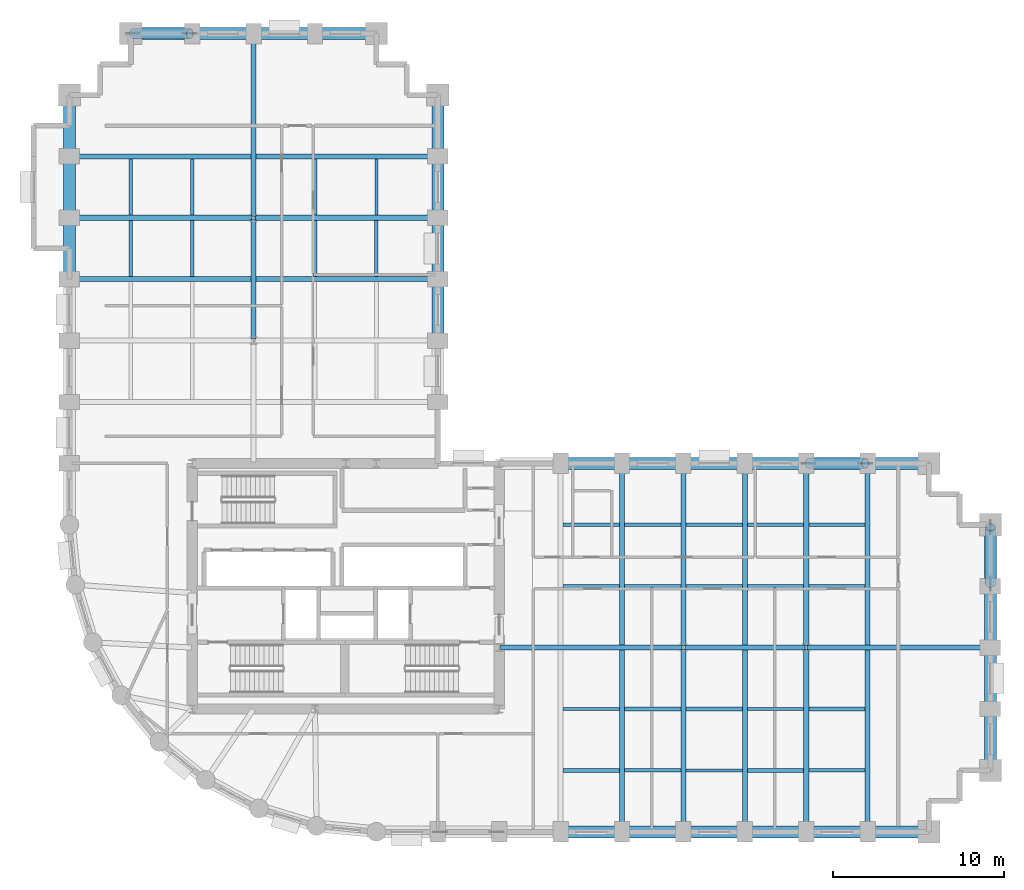
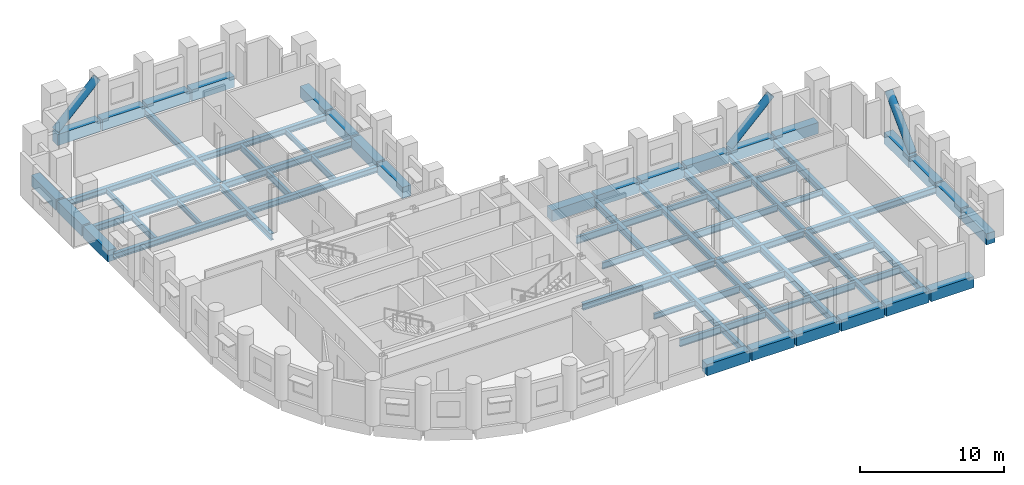
# One storey, part 2 of 11: 71 beams, 3 members.
"""IFC4 building model written with IfcOpenShell, lengths in metres."""

from ifc_helpers import new_model, si_unit, direction, frame, origin, origin_2d, place, context, subcontext, project, spatial, rectangle, hollow_circle, i_section, extrude, material, material_profile, profile_set, type_object, element, save


model = new_model("IFC4")

# Units and contexts
model_context = context("Model", 3, precision=1e-05, world=origin(), true_north=direction((0.0, 1.0)))
body_context = subcontext(model_context, "Body", "Model", "MODEL_VIEW")
ifc_project = project(units=[si_unit("LENGTHUNIT", "METRE"), si_unit("AREAUNIT", "SQUARE_METRE"), si_unit("VOLUMEUNIT", "CUBIC_METRE"), si_unit("PLANEANGLEUNIT", "RADIAN"), si_unit("MASSUNIT", "GRAM", prefix="KILO")], contexts=[model_context])

# Site, building, storey
site_placement = place(None, origin())
site = spatial("IfcSite", under=ifc_project, at=site_placement, CompositionType="ELEMENT")
building_placement = place(site_placement, origin())
building = spatial("IfcBuilding", under=site, at=building_placement, Name="Solnavia Interchange Tower", CompositionType="ELEMENT")
storey_placement = place(building_placement, frame((0.0, 0.0, 55.199951171875)))
storey = spatial("IfcBuildingStorey", under=building, at=storey_placement, Name="L13", CompositionType="ELEMENT", Elevation=55.199951171875)

# Beams
ifc_material_1 = material(Name="Steel S460", Category="steel")
ifc_material_profile_1 = material_profile(ifc_material_1, i_section(OverallWidth=0.300048828125, OverallDepth=0.550048828125, WebThickness=0.014892578125, FlangeThickness=0.029052734375, FilletRadius=0.027099609375, at=origin_2d()), Name="HEB 550")
ifc_profile_set_1 = profile_set([ifc_material_profile_1], Name="Steel S460")
beam_type_1 = type_object("IfcBeamType", Name="Beam-Girder-HEB550", PredefinedType="BEAM", material=ifc_profile_set_1)
beam_1_placement = place(storey_placement, frame((32.47998046875, 14.39990234375, -0.52490234375), z_axis=(1.0, 0.0, 0.0), x_axis=(0.0, 1.0, 0.0)))
element("IfcBeam", 1, at=beam_1_placement, inside=storey, type_object=beam_type_1, Name="GRD-L13-ES01 East wing spine girder", PredefinedType="BEAM", context=body_context, shape_type="SweptSolid", body=[
    extrude(i_section(OverallWidth=0.300048828125, OverallDepth=0.550048828125, WebThickness=0.014892578125, FlangeThickness=0.029052734375, FilletRadius=0.027099609375, at=origin_2d()), origin(), (0.0, 0.0, 1.0), 10.64013671875),
])
beam_2_placement = place(storey_placement, frame((43.280029296875, 14.39990234375, -0.52490234375), z_axis=(1.0, 0.0, 0.0), x_axis=(0.0, 1.0, 0.0)))
element("IfcBeam", 2, at=beam_2_placement, inside=storey, type_object=beam_type_1, Name="GRD-L13-ES02 East wing spine girder", PredefinedType="BEAM", context=body_context, shape_type="SweptSolid", body=[
    extrude(i_section(OverallWidth=0.300048828125, OverallDepth=0.550048828125, WebThickness=0.014892578125, FlangeThickness=0.029052734375, FilletRadius=0.027099609375, at=origin_2d()), origin(), (0.0, 0.0, 1.0), 7.0400390625),
])
beam_3_placement = place(storey_placement, frame((50.47998046875, 14.39990234375, -0.52490234375), z_axis=(1.0, 0.0, 0.0), x_axis=(0.0, 1.0, 0.0)))
element("IfcBeam", 3, at=beam_3_placement, inside=storey, type_object=beam_type_1, Name="GRD-L13-ES03 East wing spine girder", PredefinedType="BEAM", context=body_context, shape_type="SweptSolid", body=[
    extrude(i_section(OverallWidth=0.300048828125, OverallDepth=0.550048828125, WebThickness=0.014892578125, FlangeThickness=0.029052734375, FilletRadius=0.027099609375, at=origin_2d()), origin(), (0.0, 0.0, 1.0), 10.64013671875),
])
beam_4_placement = place(storey_placement, frame((18.0, 32.47998046875, -0.52490234375), z_axis=(0.0, 1.0, 0.0), x_axis=(-1.0, 0.0, 0.0)))
element("IfcBeam", 4, at=beam_4_placement, inside=storey, type_object=beam_type_1, Name="GRD-L13-NS13 North wing spine girder", PredefinedType="BEAM", context=body_context, shape_type="SweptSolid", body=[
    extrude(i_section(OverallWidth=0.300048828125, OverallDepth=0.550048828125, WebThickness=0.014892578125, FlangeThickness=0.029052734375, FilletRadius=0.027099609375, at=origin_2d()), origin(), (0.0, 0.0, 1.0), 7.0400390625),
])
beam_5_placement = place(storey_placement, frame((18.0, 39.679931640625, -0.52490234375), z_axis=(0.0, 1.0, 0.0), x_axis=(-1.0, 0.0, 0.0)))
element("IfcBeam", 5, at=beam_5_placement, inside=storey, type_object=beam_type_1, Name="GRD-L13-NS14 North wing spine girder", PredefinedType="BEAM", context=body_context, shape_type="SweptSolid", body=[
    extrude(i_section(OverallWidth=0.300048828125, OverallDepth=0.550048828125, WebThickness=0.014892578125, FlangeThickness=0.029052734375, FilletRadius=0.027099609375, at=origin_2d()), origin(), (0.0, 0.0, 1.0), 10.64013671875),
])
for number, where, z_axis, x_axis, name in (
    (6, (7.280029296875, 39.60009765625, -0.52490234375), (1.0, 0.0, 0.0), (0.0, 1.0, 0.0), "GRD-L13-NW19 North wing primary floor girder"),
    (7, (18.080078125, 39.60009765625, -0.52490234375), (1.0, 0.0, 0.0), (0.0, 1.0, 0.0), "GRD-L13-NW20 North wing primary floor girder"),
):
    element("IfcBeam", number, at=place(storey_placement, frame(where, z_axis=z_axis, x_axis=x_axis)), inside=storey, type_object=beam_type_1, Name=name, PredefinedType="BEAM", context=body_context, shape_type="SweptSolid", body=[
        extrude(i_section(OverallWidth=0.300048828125, OverallDepth=0.550048828125, WebThickness=0.014892578125, FlangeThickness=0.029052734375, FilletRadius=0.027099609375, at=origin_2d()), origin(), (0.0, 0.0, 1.0), 10.639892578125),
    ])
ifc_material_2 = material(Name="Steel S355", Category="steel")
ifc_material_profile_2 = material_profile(ifc_material_2, i_section(OverallWidth=0.18994140625, OverallDepth=0.449951171875, WebThickness=0.009521484375, FlangeThickness=0.0146484375, FilletRadius=0.02099609375, at=origin_2d()), Name="IPE 450")
ifc_profile_set_2 = profile_set([ifc_material_profile_2], Name="Steel S355")
beam_type_2 = type_object("IfcBeamType", Name="Beam-Joist-IPE450", PredefinedType="JOIST", material=ifc_profile_set_2)
beam_6_placement = place(storey_placement, frame((43.35009765625, 7.199951171875, -0.474853515625), z_axis=(1.0, 0.0, 0.0), x_axis=(0.0, 1.0, 0.0)))
element("IfcBeam", 8, at=beam_6_placement, inside=storey, type_object=beam_type_2, Name="JST-L13-E03 East wing secondary joist", PredefinedType="JOIST", context=body_context, shape_type="SweptSolid", body=[
    extrude(i_section(OverallWidth=0.18994140625, OverallDepth=0.449951171875, WebThickness=0.009521484375, FlangeThickness=0.0146484375, FilletRadius=0.02099609375, at=origin_2d()), origin(), (0.0, 0.0, 1.0), 3.2998046875),
])
for number, where, z_axis, x_axis, name in (
    (9, (36.14990234375, 10.800048828125, -0.474853515625), (1.0, 0.0, 0.0), (0.0, 1.0, 0.0), "JST-L13-E06 East wing secondary joist"),
    (10, (46.949951171875, 10.800048828125, -0.474853515625), (1.0, 0.0, 0.0), (0.0, 1.0, 0.0), "JST-L13-E09 East wing secondary joist"),
    (11, (39.75, 18.0, -0.474853515625), (1.0, 0.0, 0.0), (0.0, 1.0, 0.0), "JST-L13-E12 East wing secondary joist"),
    (12, (50.550048828125, 18.0, -0.474853515625), (1.0, 0.0, 0.0), (0.0, 1.0, 0.0), "JST-L13-E15 East wing secondary joist"),
):
    element("IfcBeam", number, at=place(storey_placement, frame(where, z_axis=z_axis, x_axis=x_axis)), inside=storey, type_object=beam_type_2, Name=name, PredefinedType="JOIST", context=body_context, shape_type="SweptSolid", body=[
        extrude(i_section(OverallWidth=0.18994140625, OverallDepth=0.449951171875, WebThickness=0.009521484375, FlangeThickness=0.0146484375, FilletRadius=0.02099609375, at=origin_2d()), origin(), (0.0, 0.0, 1.0), 3.300048828125),
    ])
beam_7_placement = place(storey_placement, frame((43.35009765625, 21.60009765625, -0.474853515625), z_axis=(1.0, 0.0, 0.0), x_axis=(0.0, 1.0, 0.0)))
element("IfcBeam", 13, at=beam_7_placement, inside=storey, type_object=beam_type_2, Name="JST-L13-E18 East wing secondary joist", PredefinedType="JOIST", context=body_context, shape_type="SweptSolid", body=[
    extrude(i_section(OverallWidth=0.18994140625, OverallDepth=0.449951171875, WebThickness=0.009521484375, FlangeThickness=0.0146484375, FilletRadius=0.02099609375, at=origin_2d()), origin(), (0.0, 0.0, 1.0), 3.2998046875),
])
for number, where, z_axis, x_axis, name in (
    (14, (10.800048828125, 39.75, -0.474853515625), (0.0, 1.0, 0.0), (-1.0, 0.0, 0.0), "JST-L13-N24 North wing secondary joist"),
    (15, (14.39990234375, 36.14990234375, -0.474853515625), (0.0, 1.0, 0.0), (-1.0, 0.0, 0.0), "JST-L13-N27 North wing secondary joist"),
    (16, (25.199951171875, 39.75, -0.474853515625), (0.0, 1.0, 0.0), (-1.0, 0.0, 0.0), "JST-L13-N36 North wing secondary joist"),
):
    element("IfcBeam", number, at=place(storey_placement, frame(where, z_axis=z_axis, x_axis=x_axis)), inside=storey, type_object=beam_type_2, Name=name, PredefinedType="JOIST", context=body_context, shape_type="SweptSolid", body=[
        extrude(i_section(OverallWidth=0.18994140625, OverallDepth=0.449951171875, WebThickness=0.009521484375, FlangeThickness=0.0146484375, FilletRadius=0.02099609375, at=origin_2d()), origin(), (0.0, 0.0, 1.0), 3.300048828125),
    ])
ifc_material_profile_3 = material_profile(ifc_material_2, i_section(OverallWidth=0.2099609375, OverallDepth=0.550048828125, WebThickness=0.010986328125, FlangeThickness=0.01708984375, FilletRadius=0.02392578125, at=origin_2d()), Name="IPE 550")
ifc_profile_set_3 = profile_set([ifc_material_profile_3], Name="Steel S355")
beam_type_3 = type_object("IfcBeamType", Name="Beam-Joist-IPE550", PredefinedType="JOIST", material=ifc_profile_set_3)
for number, where, z_axis, x_axis, name in (
    (17, (39.75, 7.199951171875, -0.52490234375), (1.0, 0.0, 0.0), (0.0, 1.0, 0.0), "JST-L13-E02 East wing secondary joist"),
    (18, (50.550048828125, 7.199951171875, -0.52490234375), (1.0, 0.0, 0.0), (0.0, 1.0, 0.0), "JST-L13-E05 East wing secondary joist"),
):
    element("IfcBeam", number, at=place(storey_placement, frame(where, z_axis=z_axis, x_axis=x_axis)), inside=storey, type_object=beam_type_3, Name=name, PredefinedType="JOIST", context=body_context, shape_type="SweptSolid", body=[
        extrude(i_section(OverallWidth=0.2099609375, OverallDepth=0.550048828125, WebThickness=0.010986328125, FlangeThickness=0.01708984375, FilletRadius=0.02392578125, at=origin_2d()), origin(), (0.0, 0.0, 1.0), 3.300048828125),
    ])
beam_8_placement = place(storey_placement, frame((43.35009765625, 10.800048828125, -0.52490234375), z_axis=(1.0, 0.0, 0.0), x_axis=(0.0, 1.0, 0.0)))
element("IfcBeam", 19, at=beam_8_placement, inside=storey, type_object=beam_type_3, Name="JST-L13-E08 East wing secondary joist", PredefinedType="JOIST", context=body_context, shape_type="SweptSolid", body=[
    extrude(i_section(OverallWidth=0.2099609375, OverallDepth=0.550048828125, WebThickness=0.010986328125, FlangeThickness=0.01708984375, FilletRadius=0.02392578125, at=origin_2d()), origin(), (0.0, 0.0, 1.0), 3.2998046875),
])
for number, where, z_axis, x_axis, name in (
    (20, (36.14990234375, 18.0, -0.52490234375), (1.0, 0.0, 0.0), (0.0, 1.0, 0.0), "JST-L13-E11 East wing secondary joist"),
    (21, (46.949951171875, 18.0, -0.52490234375), (1.0, 0.0, 0.0), (0.0, 1.0, 0.0), "JST-L13-E14 East wing secondary joist"),
    (22, (39.75, 21.60009765625, -0.52490234375), (1.0, 0.0, 0.0), (0.0, 1.0, 0.0), "JST-L13-E17 East wing secondary joist"),
    (23, (50.550048828125, 21.60009765625, -0.52490234375), (1.0, 0.0, 0.0), (0.0, 1.0, 0.0), "JST-L13-E20 East wing secondary joist"),
    (24, (10.800048828125, 36.14990234375, -0.52490234375), (0.0, 1.0, 0.0), (-1.0, 0.0, 0.0), "JST-L13-N23 North wing secondary joist"),
    (25, (21.60009765625, 39.75, -0.52490234375), (0.0, 1.0, 0.0), (-1.0, 0.0, 0.0), "JST-L13-N32 North wing secondary joist"),
    (26, (25.199951171875, 36.14990234375, -0.52490234375), (0.0, 1.0, 0.0), (-1.0, 0.0, 0.0), "JST-L13-N35 North wing secondary joist"),
):
    element("IfcBeam", number, at=place(storey_placement, frame(where, z_axis=z_axis, x_axis=x_axis)), inside=storey, type_object=beam_type_3, Name=name, PredefinedType="JOIST", context=body_context, shape_type="SweptSolid", body=[
        extrude(i_section(OverallWidth=0.2099609375, OverallDepth=0.550048828125, WebThickness=0.010986328125, FlangeThickness=0.01708984375, FilletRadius=0.02392578125, at=origin_2d()), origin(), (0.0, 0.0, 1.0), 3.300048828125),
    ])
ifc_material_profile_4 = material_profile(ifc_material_2, i_section(OverallWidth=0.219970703125, OverallDepth=0.60009765625, WebThickness=0.011962890625, FlangeThickness=0.01904296875, FilletRadius=0.02392578125, at=origin_2d()), Name="IPE 600")
ifc_profile_set_4 = profile_set([ifc_material_profile_4], Name="Steel S355")
beam_type_4 = type_object("IfcBeamType", Name="Beam-Joist-IPE600", PredefinedType="JOIST", material=ifc_profile_set_4)
for number, where, z_axis, x_axis, name in (
    (27, (36.14990234375, 7.199951171875, -0.550048828125), (1.0, 0.0, 0.0), (0.0, 1.0, 0.0), "JST-L13-E01 East wing secondary joist"),
    (28, (46.949951171875, 7.199951171875, -0.550048828125), (1.0, 0.0, 0.0), (0.0, 1.0, 0.0), "JST-L13-E04 East wing secondary joist"),
    (29, (39.75, 10.800048828125, -0.550048828125), (1.0, 0.0, 0.0), (0.0, 1.0, 0.0), "JST-L13-E07 East wing secondary joist"),
    (30, (50.550048828125, 10.800048828125, -0.550048828125), (1.0, 0.0, 0.0), (0.0, 1.0, 0.0), "JST-L13-E10 East wing secondary joist"),
):
    element("IfcBeam", number, at=place(storey_placement, frame(where, z_axis=z_axis, x_axis=x_axis)), inside=storey, type_object=beam_type_4, Name=name, PredefinedType="JOIST", context=body_context, shape_type="SweptSolid", body=[
        extrude(i_section(OverallWidth=0.219970703125, OverallDepth=0.60009765625, WebThickness=0.011962890625, FlangeThickness=0.01904296875, FilletRadius=0.02392578125, at=origin_2d()), origin(), (0.0, 0.0, 1.0), 3.300048828125),
    ])
beam_9_placement = place(storey_placement, frame((43.35009765625, 18.0, -0.550048828125), z_axis=(1.0, 0.0, 0.0), x_axis=(0.0, 1.0, 0.0)))
element("IfcBeam", 31, at=beam_9_placement, inside=storey, type_object=beam_type_4, Name="JST-L13-E13 East wing secondary joist", PredefinedType="JOIST", context=body_context, shape_type="SweptSolid", body=[
    extrude(i_section(OverallWidth=0.219970703125, OverallDepth=0.60009765625, WebThickness=0.011962890625, FlangeThickness=0.01904296875, FilletRadius=0.02392578125, at=origin_2d()), origin(), (0.0, 0.0, 1.0), 3.2998046875),
])
for number, where, z_axis, x_axis, name in (
    (32, (36.14990234375, 21.60009765625, -0.550048828125), (1.0, 0.0, 0.0), (0.0, 1.0, 0.0), "JST-L13-E16 East wing secondary joist"),
    (33, (46.949951171875, 21.60009765625, -0.550048828125), (1.0, 0.0, 0.0), (0.0, 1.0, 0.0), "JST-L13-E19 East wing secondary joist"),
    (34, (14.39990234375, 39.75, -0.550048828125), (0.0, 1.0, 0.0), (-1.0, 0.0, 0.0), "JST-L13-N28 North wing secondary joist"),
    (35, (21.60009765625, 36.14990234375, -0.550048828125), (0.0, 1.0, 0.0), (-1.0, 0.0, 0.0), "JST-L13-N31 North wing secondary joist"),
):
    element("IfcBeam", number, at=place(storey_placement, frame(where, z_axis=z_axis, x_axis=x_axis)), inside=storey, type_object=beam_type_4, Name=name, PredefinedType="JOIST", context=body_context, shape_type="SweptSolid", body=[
        extrude(i_section(OverallWidth=0.219970703125, OverallDepth=0.60009765625, WebThickness=0.011962890625, FlangeThickness=0.01904296875, FilletRadius=0.02392578125, at=origin_2d()), origin(), (0.0, 0.0, 1.0), 3.300048828125),
    ])
ifc_material_profile_5 = material_profile(ifc_material_2, i_section(OverallWidth=0.300048828125, OverallDepth=0.489990234375, WebThickness=0.011962890625, FlangeThickness=0.02294921875, FilletRadius=0.027099609375, at=origin_2d()), Name="HEA 500")
ifc_profile_set_5 = profile_set([ifc_material_profile_5], Name="Steel S355")
beam_type_5 = type_object("IfcBeamType", Name="Beam-Primary-HEA500", PredefinedType="BEAM", material=ifc_profile_set_5)
for number, where, z_axis, x_axis, name in (
    (36, (43.199951171875, 3.679931640625, -0.494873046875), (0.0, 1.0, 0.0), (-1.0, 0.0, 0.0), "GRD-L13-EW06 East wing primary floor girder"),
    (37, (43.199951171875, 14.47998046875, -0.494873046875), (0.0, 1.0, 0.0), (-1.0, 0.0, 0.0), "GRD-L13-EW07 East wing primary floor girder"),
    (38, (50.39990234375, 3.679931640625, -0.494873046875), (0.0, 1.0, 0.0), (-1.0, 0.0, 0.0), "GRD-L13-EW09 East wing primary floor girder"),
    (39, (50.39990234375, 14.47998046875, -0.494873046875), (0.0, 1.0, 0.0), (-1.0, 0.0, 0.0), "GRD-L13-EW10 East wing primary floor girder"),
):
    element("IfcBeam", number, at=place(storey_placement, frame(where, z_axis=z_axis, x_axis=x_axis)), inside=storey, type_object=beam_type_5, Name=name, PredefinedType="BEAM", context=body_context, shape_type="SweptSolid", body=[
        extrude(i_section(OverallWidth=0.300048828125, OverallDepth=0.489990234375, WebThickness=0.011962890625, FlangeThickness=0.02294921875, FilletRadius=0.027099609375, at=origin_2d()), origin(), (0.0, 0.0, 1.0), 10.64013671875),
    ])
for number, where, z_axis, x_axis, name in (
    (40, (7.280029296875, 36.0, -0.494873046875), (1.0, 0.0, 0.0), (0.0, 1.0, 0.0), "GRD-L13-NW18 North wing primary floor girder"),
    (41, (7.280029296875, 43.199951171875, -0.494873046875), (1.0, 0.0, 0.0), (0.0, 1.0, 0.0), "GRD-L13-NW21 North wing primary floor girder"),
):
    element("IfcBeam", number, at=place(storey_placement, frame(where, z_axis=z_axis, x_axis=x_axis)), inside=storey, type_object=beam_type_5, Name=name, PredefinedType="BEAM", context=body_context, shape_type="SweptSolid", body=[
        extrude(i_section(OverallWidth=0.300048828125, OverallDepth=0.489990234375, WebThickness=0.011962890625, FlangeThickness=0.02294921875, FilletRadius=0.027099609375, at=origin_2d()), origin(), (0.0, 0.0, 1.0), 21.43994140625),
    ])
ifc_material_profile_6 = material_profile(ifc_material_2, i_section(OverallWidth=0.300048828125, OverallDepth=0.590087890625, WebThickness=0.012939453125, FlangeThickness=0.02490234375, FilletRadius=0.027099609375, at=origin_2d()), Name="HEA 600")
ifc_profile_set_6 = profile_set([ifc_material_profile_6], Name="Steel S355")
beam_type_6 = type_object("IfcBeamType", Name="Beam-Primary-HEA600", PredefinedType="BEAM", material=ifc_profile_set_6)
for number, where, z_axis, x_axis, name in (
    (42, (39.60009765625, 3.679931640625, -0.544921875), (0.0, 1.0, 0.0), (-1.0, 0.0, 0.0), "GRD-L13-EW05 East wing primary floor girder"),
    (43, (46.800048828125, 3.679931640625, -0.544921875), (0.0, 1.0, 0.0), (-1.0, 0.0, 0.0), "GRD-L13-EW08 East wing primary floor girder"),
    (44, (54.0, 3.679931640625, -0.544921875), (0.0, 1.0, 0.0), (-1.0, 0.0, 0.0), "GRD-L13-EW11 East wing primary floor girder"),
):
    element("IfcBeam", number, at=place(storey_placement, frame(where, z_axis=z_axis, x_axis=x_axis)), inside=storey, type_object=beam_type_6, Name=name, PredefinedType="BEAM", context=body_context, shape_type="SweptSolid", body=[
        extrude(i_section(OverallWidth=0.300048828125, OverallDepth=0.590087890625, WebThickness=0.012939453125, FlangeThickness=0.02490234375, FilletRadius=0.027099609375, at=origin_2d()), origin(), (0.0, 0.0, 1.0), 21.440185546875),
    ])
ifc_material_3 = material(Name="Concrete C50/60", Category="concrete")
ifc_material_profile_7 = material_profile(ifc_material_3, rectangle(XDim=0.699951171875, YDim=0.949951171875, at=origin_2d()), Name="RC 700x950")
ifc_profile_set_7 = profile_set([ifc_material_profile_7], Name="Concrete C50/60")
beam_type_7 = type_object("IfcBeamType", Name="Beam-Spandrel-RC700x950", PredefinedType="SPANDREL", material=ifc_profile_set_7)
beam_10_placement = place(storey_placement, frame((36.080078125, 3.60009765625, -0.474853515625), z_axis=(1.0, 0.0, 0.0), x_axis=(0.0, 1.0, 0.0)))
element("IfcBeam", 45, at=beam_10_placement, inside=storey, type_object=beam_type_7, Name="SPB-L13-12 Framed-tube perimeter spandrel beam", PredefinedType="SPANDREL", context=body_context, shape_type="SweptSolid", body=[
    extrude(rectangle(XDim=0.699951171875, YDim=0.949951171875, at=origin_2d()), origin(), (0.0, 0.0, 1.0), 3.43994140625),
])
beam_11_placement = place(storey_placement, frame((39.679931640625, 3.60009765625, -0.474853515625), z_axis=(1.0, 0.0, 0.0), x_axis=(0.0, 1.0, 0.0)))
element("IfcBeam", 46, at=beam_11_placement, inside=storey, type_object=beam_type_7, Name="SPB-L13-13 Framed-tube perimeter spandrel beam", PredefinedType="SPANDREL", context=body_context, shape_type="SweptSolid", body=[
    extrude(rectangle(XDim=0.699951171875, YDim=0.949951171875, at=origin_2d()), origin(), (0.0, 0.0, 1.0), 3.440185546875),
])
beam_12_placement = place(storey_placement, frame((43.280029296875, 3.60009765625, -0.474853515625), z_axis=(1.0, 0.0, 0.0), x_axis=(0.0, 1.0, 0.0)))
element("IfcBeam", 47, at=beam_12_placement, inside=storey, type_object=beam_type_7, Name="SPB-L13-14 Framed-tube perimeter spandrel beam", PredefinedType="SPANDREL", context=body_context, shape_type="SweptSolid", body=[
    extrude(rectangle(XDim=0.699951171875, YDim=0.949951171875, at=origin_2d()), origin(), (0.0, 0.0, 1.0), 3.43994140625),
])
beam_13_placement = place(storey_placement, frame((46.8798828125, 3.60009765625, -0.474853515625), z_axis=(1.0, 0.0, 0.0), x_axis=(0.0, 1.0, 0.0)))
element("IfcBeam", 48, at=beam_13_placement, inside=storey, type_object=beam_type_7, Name="SPB-L13-15 Framed-tube perimeter spandrel beam", PredefinedType="SPANDREL", context=body_context, shape_type="SweptSolid", body=[
    extrude(rectangle(XDim=0.699951171875, YDim=0.949951171875, at=origin_2d()), origin(), (0.0, 0.0, 1.0), 3.440185546875),
])
for number, where, z_axis, x_axis, name in (
    (49, (50.47998046875, 3.60009765625, -0.474853515625), (1.0, 0.0, 0.0), (0.0, 1.0, 0.0), "SPB-L13-16 Framed-tube perimeter spandrel beam"),
    (50, (54.080078125, 3.60009765625, -0.474853515625), (1.0, 0.0, 0.0), (0.0, 1.0, 0.0), "SPB-L13-17 Framed-tube perimeter spandrel beam"),
    (51, (61.199951171875, 7.280029296875, -0.474853515625), (0.0, 1.0, 0.0), (-1.0, 0.0, 0.0), "SPB-L13-18 Framed-tube perimeter spandrel beam"),
):
    element("IfcBeam", number, at=place(storey_placement, frame(where, z_axis=z_axis, x_axis=x_axis)), inside=storey, type_object=beam_type_7, Name=name, PredefinedType="SPANDREL", context=body_context, shape_type="SweptSolid", body=[
        extrude(rectangle(XDim=0.699951171875, YDim=0.949951171875, at=origin_2d()), origin(), (0.0, 0.0, 1.0), 3.43994140625),
    ])
beam_14_placement = place(storey_placement, frame((61.199951171875, 10.8798828125, -0.474853515625), z_axis=(0.0, 1.0, 0.0), x_axis=(-1.0, 0.0, 0.0)))
element("IfcBeam", 52, at=beam_14_placement, inside=storey, type_object=beam_type_7, Name="SPB-L13-19 Framed-tube perimeter spandrel beam", PredefinedType="SPANDREL", context=body_context, shape_type="SweptSolid", body=[
    extrude(rectangle(XDim=0.699951171875, YDim=0.949951171875, at=origin_2d()), origin(), (0.0, 0.0, 1.0), 3.440185546875),
])
for number, where, z_axis, x_axis, name in (
    (53, (61.199951171875, 14.47998046875, -0.474853515625), (0.0, 1.0, 0.0), (-1.0, 0.0, 0.0), "SPB-L13-20 Framed-tube perimeter spandrel beam"),
    (54, (61.199951171875, 18.080078125, -0.474853515625), (0.0, 1.0, 0.0), (-1.0, 0.0, 0.0), "SPB-L13-21 Framed-tube perimeter spandrel beam"),
    (55, (57.52001953125, 25.199951171875, -0.474853515625), (-1.0, 0.0, 0.0), (0.0, -1.0, 0.0), "SPB-L13-22 Framed-tube perimeter spandrel beam"),
    (56, (53.919921875, 25.199951171875, -0.474853515625), (-1.0, 0.0, 0.0), (0.0, -1.0, 0.0), "SPB-L13-23 Framed-tube perimeter spandrel beam"),
):
    element("IfcBeam", number, at=place(storey_placement, frame(where, z_axis=z_axis, x_axis=x_axis)), inside=storey, type_object=beam_type_7, Name=name, PredefinedType="SPANDREL", context=body_context, shape_type="SweptSolid", body=[
        extrude(rectangle(XDim=0.699951171875, YDim=0.949951171875, at=origin_2d()), origin(), (0.0, 0.0, 1.0), 3.43994140625),
    ])
beam_15_placement = place(storey_placement, frame((50.320068359375, 25.199951171875, -0.474853515625), z_axis=(-1.0, 0.0, 0.0), x_axis=(0.0, -1.0, 0.0)))
element("IfcBeam", 57, at=beam_15_placement, inside=storey, type_object=beam_type_7, Name="SPB-L13-24 Framed-tube perimeter spandrel beam", PredefinedType="SPANDREL", context=body_context, shape_type="SweptSolid", body=[
    extrude(rectangle(XDim=0.699951171875, YDim=0.949951171875, at=origin_2d()), origin(), (0.0, 0.0, 1.0), 3.440185546875),
])
beam_16_placement = place(storey_placement, frame((46.719970703125, 25.199951171875, -0.474853515625), z_axis=(-1.0, 0.0, 0.0), x_axis=(0.0, -1.0, 0.0)))
element("IfcBeam", 58, at=beam_16_placement, inside=storey, type_object=beam_type_7, Name="SPB-L13-25 Framed-tube perimeter spandrel beam", PredefinedType="SPANDREL", context=body_context, shape_type="SweptSolid", body=[
    extrude(rectangle(XDim=0.699951171875, YDim=0.949951171875, at=origin_2d()), origin(), (0.0, 0.0, 1.0), 3.43994140625),
])
beam_17_placement = place(storey_placement, frame((43.1201171875, 25.199951171875, -0.474853515625), z_axis=(-1.0, 0.0, 0.0), x_axis=(0.0, -1.0, 0.0)))
element("IfcBeam", 59, at=beam_17_placement, inside=storey, type_object=beam_type_7, Name="SPB-L13-26 Framed-tube perimeter spandrel beam", PredefinedType="SPANDREL", context=body_context, shape_type="SweptSolid", body=[
    extrude(rectangle(XDim=0.699951171875, YDim=0.949951171875, at=origin_2d()), origin(), (0.0, 0.0, 1.0), 3.440185546875),
])
for number, where, z_axis, x_axis, name in (
    (60, (39.52001953125, 25.199951171875, -0.474853515625), (-1.0, 0.0, 0.0), (0.0, -1.0, 0.0), "SPB-L13-27 Framed-tube perimeter spandrel beam"),
    (61, (28.800048828125, 32.47998046875, -0.474853515625), (0.0, 1.0, 0.0), (-1.0, 0.0, 0.0), "SPB-L13-30 Framed-tube perimeter spandrel beam"),
    (62, (28.800048828125, 36.080078125, -0.474853515625), (0.0, 1.0, 0.0), (-1.0, 0.0, 0.0), "SPB-L13-31 Framed-tube perimeter spandrel beam"),
):
    element("IfcBeam", number, at=place(storey_placement, frame(where, z_axis=z_axis, x_axis=x_axis)), inside=storey, type_object=beam_type_7, Name=name, PredefinedType="SPANDREL", context=body_context, shape_type="SweptSolid", body=[
        extrude(rectangle(XDim=0.699951171875, YDim=0.949951171875, at=origin_2d()), origin(), (0.0, 0.0, 1.0), 3.43994140625),
    ])
beam_18_placement = place(storey_placement, frame((28.800048828125, 39.679931640625, -0.474853515625), z_axis=(0.0, 1.0, 0.0), x_axis=(-1.0, 0.0, 0.0)))
element("IfcBeam", 63, at=beam_18_placement, inside=storey, type_object=beam_type_7, Name="SPB-L13-32 Framed-tube perimeter spandrel beam", PredefinedType="SPANDREL", context=body_context, shape_type="SweptSolid", body=[
    extrude(rectangle(XDim=0.699951171875, YDim=0.949951171875, at=origin_2d()), origin(), (0.0, 0.0, 1.0), 3.440185546875),
])
beam_19_placement = place(storey_placement, frame((28.800048828125, 43.280029296875, -0.474853515625), z_axis=(0.0, 1.0, 0.0), x_axis=(-1.0, 0.0, 0.0)))
element("IfcBeam", 64, at=beam_19_placement, inside=storey, type_object=beam_type_7, Name="SPB-L13-33 Framed-tube perimeter spandrel beam", PredefinedType="SPANDREL", context=body_context, shape_type="SweptSolid", body=[
    extrude(rectangle(XDim=0.699951171875, YDim=0.949951171875, at=origin_2d()), origin(), (0.0, 0.0, 1.0), 3.43994140625),
])
beam_20_placement = place(storey_placement, frame((25.1201171875, 50.39990234375, -0.474853515625), z_axis=(-1.0, 0.0, 0.0), x_axis=(0.0, -1.0, 0.0)))
element("IfcBeam", 65, at=beam_20_placement, inside=storey, type_object=beam_type_7, Name="SPB-L13-34 Framed-tube perimeter spandrel beam", PredefinedType="SPANDREL", context=body_context, shape_type="SweptSolid", body=[
    extrude(rectangle(XDim=0.699951171875, YDim=0.949951171875, at=origin_2d()), origin(), (0.0, 0.0, 1.0), 3.440185546875),
])
for number, where, z_axis, x_axis, name in (
    (66, (21.52001953125, 50.39990234375, -0.474853515625), (-1.0, 0.0, 0.0), (0.0, -1.0, 0.0), "SPB-L13-35 Framed-tube perimeter spandrel beam"),
    (67, (17.919921875, 50.39990234375, -0.474853515625), (-1.0, 0.0, 0.0), (0.0, -1.0, 0.0), "SPB-L13-36 Framed-tube perimeter spandrel beam"),
):
    element("IfcBeam", number, at=place(storey_placement, frame(where, z_axis=z_axis, x_axis=x_axis)), inside=storey, type_object=beam_type_7, Name=name, PredefinedType="SPANDREL", context=body_context, shape_type="SweptSolid", body=[
        extrude(rectangle(XDim=0.699951171875, YDim=0.949951171875, at=origin_2d()), origin(), (0.0, 0.0, 1.0), 3.43994140625),
    ])
beam_21_placement = place(storey_placement, frame((14.320068359375, 50.39990234375, -0.474853515625), z_axis=(-1.0, 0.0, 0.0), x_axis=(0.0, -1.0, 0.0)))
element("IfcBeam", 68, at=beam_21_placement, inside=storey, type_object=beam_type_7, Name="SPB-L13-37 Framed-tube perimeter spandrel beam", PredefinedType="SPANDREL", context=body_context, shape_type="SweptSolid", body=[
    extrude(rectangle(XDim=0.699951171875, YDim=0.949951171875, at=origin_2d()), origin(), (0.0, 0.0, 1.0), 3.440185546875),
])
beam_22_placement = place(storey_placement, frame((7.199951171875, 46.719970703125, -0.474853515625), z_axis=(0.0, -1.0, 0.0), x_axis=(1.0, 0.0, 0.0)))
element("IfcBeam", 69, at=beam_22_placement, inside=storey, type_object=beam_type_7, Name="SPB-L13-38 Framed-tube perimeter spandrel beam", PredefinedType="SPANDREL", context=body_context, shape_type="SweptSolid", body=[
    extrude(rectangle(XDim=0.699951171875, YDim=0.949951171875, at=origin_2d()), origin(), (0.0, 0.0, 1.0), 3.43994140625),
])
beam_23_placement = place(storey_placement, frame((7.199951171875, 43.1201171875, -0.474853515625), z_axis=(0.0, -1.0, 0.0), x_axis=(1.0, 0.0, 0.0)))
element("IfcBeam", 70, at=beam_23_placement, inside=storey, type_object=beam_type_7, Name="SPB-L13-39 Framed-tube perimeter spandrel beam", PredefinedType="SPANDREL", context=body_context, shape_type="SweptSolid", body=[
    extrude(rectangle(XDim=0.699951171875, YDim=0.949951171875, at=origin_2d()), origin(), (0.0, 0.0, 1.0), 3.440185546875),
])
beam_24_placement = place(storey_placement, frame((7.199951171875, 39.52001953125, -0.474853515625), z_axis=(0.0, -1.0, 0.0), x_axis=(1.0, 0.0, 0.0)))
element("IfcBeam", 71, at=beam_24_placement, inside=storey, type_object=beam_type_7, Name="SPB-L13-40 Framed-tube perimeter spandrel beam", PredefinedType="SPANDREL", context=body_context, shape_type="SweptSolid", body=[
    extrude(rectangle(XDim=0.699951171875, YDim=0.949951171875, at=origin_2d()), origin(), (0.0, 0.0, 1.0), 3.43994140625),
])

# Members
ifc_material_profile_8 = material_profile(ifc_material_1, hollow_circle(Radius=0.304931640625, WallThickness=0.02490234375, at=origin_2d()), Name="CHS 610x25")
ifc_profile_set_8 = profile_set([ifc_material_profile_8], Name="Steel S460")
member_type = type_object("IfcMemberType", Name="Brace-Perim-CHS610", PredefinedType="BRACE", material=ifc_profile_set_8)
for number, where, z_axis, x_axis, name in (
    (72, (61.199951171875, 18.139892578125, 0.179931640625), (0.0, 0.710311792477, 0.703887176661), (-1.0, 0.0, 0.0), "BRC-L13-02 Perimeter tube diagonal brace"),
    (73, (10.93994140625, 50.39990234375, 0.179931640625), (0.710311792477, 0.0, 0.703887176661), (0.0, 1.0, 0.0), "BRC-L13-03 Perimeter tube diagonal brace"),
    (74, (50.5400390625, 25.199951171875, 0.179931640625), (0.710311792477, 0.0, 0.703887176661), (0.0, 1.0, 0.0), "BRC-L13-04 Perimeter tube diagonal brace"),
):
    element("IfcMember", number, at=place(storey_placement, frame(where, z_axis=z_axis, x_axis=x_axis)), inside=storey, type_object=member_type, Name=name, PredefinedType="BRACE", context=body_context, shape_type="SweptSolid", body=[
        extrude(hollow_circle(Radius=0.304931640625, WallThickness=0.02490234375, at=origin_2d()), origin(), (0.0, 0.0, 1.0), 4.674072265625),
    ])

save(model, "model.ifc")
